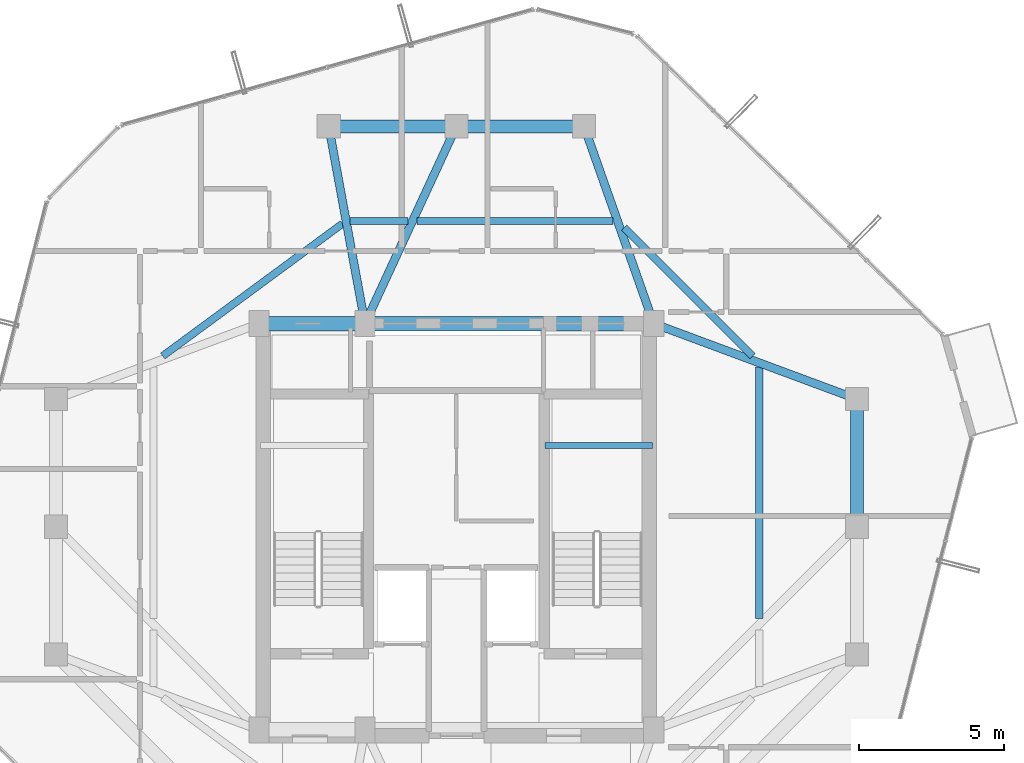
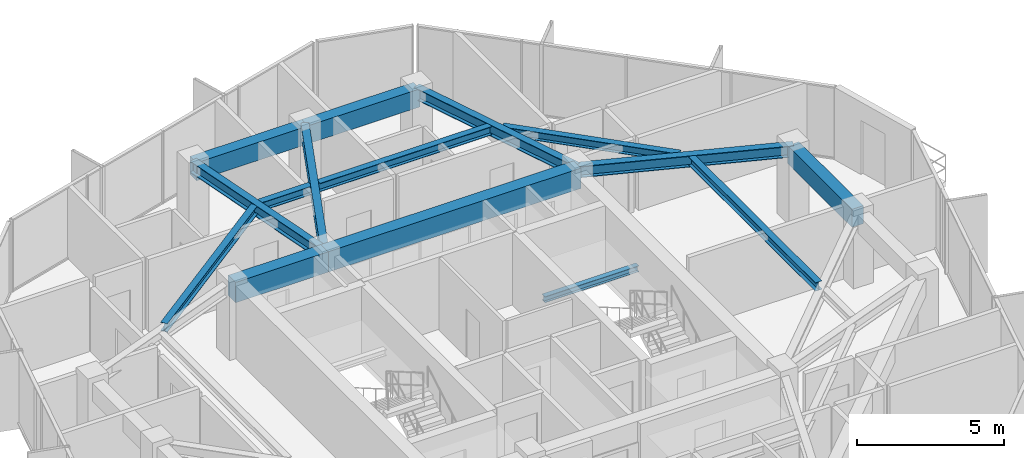
# One storey, part 15 of 29: 15 beams.
"""IFC4 building model written with IfcOpenShell, lengths in metres."""

import ifcopenshell
import ifcopenshell.guid

model = None  # the IFC model being written
_history = None  # IfcOwnerHistory: only IFC2X3 demands one
_inside = {}  # id of a spatial element -> (the spatial element, [elements in it])
_under = {}  # id of a project, library or spatial element -> (it, [spatial elements below it])
_declared = {}  # id of a project -> (the project, [libraries it declares])
_typed = {}  # id of a type object -> (the type object, [elements of that type])
_made_of = {}  # id of a material, layer set ... -> (it, [elements and type objects made of it])


def new_model(schema):
    """Start an empty IFC model of exactly this schema.

    Asked for "IFC4X3", IfcOpenShell would pick the latest addendum, in which some entities
    have other attributes; the version numbers below select the first issue.
    IFC2X3 requires an IfcOwnerHistory on every rooted entity: one is made here for all.
    """
    global model, _history
    if schema == "IFC4X3":
        model = ifcopenshell.file(schema_version=(4, 3, 0, 0))
    else:
        model = ifcopenshell.file(schema=schema)
    _inside.clear()
    _under.clear()
    _declared.clear()
    _typed.clear()
    _made_of.clear()
    _history = None
    if model.schema == "IFC2X3":
        org = make("IfcOrganization", Name="unknown")
        user = make(
            "IfcPersonAndOrganization",
            ThePerson=make("IfcPerson", FamilyName="unknown"),
            TheOrganization=org,
        )
        app = make(
            "IfcApplication",
            ApplicationDeveloper=org,
            Version="unknown",
            ApplicationFullName="unknown",
            ApplicationIdentifier="unknown",
        )
        _history = make(
            "IfcOwnerHistory",
            OwningUser=user,
            OwningApplication=app,
            ChangeAction="ADDED",
            CreationDate=0,
        )
    return model


def make(cls, **values):
    """One entity of the class cls with the attributes given. An attribute that is None is left unset."""
    return model.create_entity(
        cls, **{name: value for name, value in values.items() if value is not None}
    )


def rooted(cls, **values):
    """An entity with a GlobalId (a new one), such as an element, a storey or a relation."""
    return make(cls, GlobalId=ifcopenshell.guid.new(), OwnerHistory=_history, **values)


def si_unit(unit_type, name, prefix=None):
    """IfcSIUnit, for example si_unit("LENGTHUNIT", "METRE", prefix="MILLI")."""
    return make("IfcSIUnit", UnitType=unit_type, Prefix=prefix, Name=name)


def assignment(units):
    """IfcUnitAssignment: the units of a project."""
    return None if units is None else make("IfcUnitAssignment", Units=units)


def point(xyz):
    """IfcCartesianPoint."""
    return None if xyz is None else make("IfcCartesianPoint", Coordinates=xyz)


def direction(xyz):
    """IfcDirection."""
    return None if xyz is None else make("IfcDirection", DirectionRatios=xyz)


def frame(location, z_axis=None, x_axis=None):
    """IfcAxis2Placement3D, a coordinate frame: its origin and axes. An axis left out is left unset."""
    return make(
        "IfcAxis2Placement3D",
        Location=point(location),
        Axis=direction(z_axis),
        RefDirection=direction(x_axis),
    )


def frame_2d(location, x_axis=None):
    """IfcAxis2Placement2D, a coordinate frame in the plane: its origin and x axis."""
    return make(
        "IfcAxis2Placement2D", Location=point(location), RefDirection=direction(x_axis)
    )


def origin():
    """The frame at (0, 0, 0) with its axes left unset."""
    return frame((0.0, 0.0, 0.0))


def origin_2d():
    """The frame at (0, 0) in the plane with its x axis left unset."""
    return frame_2d((0.0, 0.0))


def place(relative_to, where):
    """IfcLocalPlacement: puts the frame where relative to a parent placement (None: the world)."""
    return make(
        "IfcLocalPlacement", PlacementRelTo=relative_to, RelativePlacement=where
    )


def context(
    kind, dimensions, precision=None, world=None, true_north=None, identifier=None
):
    """IfcGeometricRepresentationContext, for example the 3D "Model" context."""
    return make(
        "IfcGeometricRepresentationContext",
        ContextIdentifier=identifier,
        ContextType=kind,
        CoordinateSpaceDimension=dimensions,
        Precision=precision,
        WorldCoordinateSystem=world,
        TrueNorth=true_north,
    )


def subcontext(parent, identifier, kind, view, scale=None):
    """IfcGeometricRepresentationSubContext, for example "Body" below "Model"."""
    return make(
        "IfcGeometricRepresentationSubContext",
        ContextIdentifier=identifier,
        ContextType=kind,
        ParentContext=parent,
        TargetScale=scale,
        TargetView=view,
    )


def project(units=None, contexts=None):
    """IfcProject with its units and contexts."""
    return rooted(
        "IfcProject",
        Name="project",
        RepresentationContexts=contexts,
        UnitsInContext=assignment(units),
    )


def spatial(cls, under=None, at=None, **own):
    """A site, building, storey or space (cls), placed at a placement, below another one or the project."""
    s = rooted(cls, ObjectPlacement=at, **own)
    if under is not None:
        _under.setdefault(under.id(), (under, []))[1].append(s)
    return s


def profile(cls, at=None, kind="AREA", **sizes):
    """A parametric profile (cls). Its sizes go by their IFC names, for example OverallWidth=200.0."""
    return make(cls, ProfileType=kind, Position=at, **sizes)


def rectangle(**sizes):
    """IfcRectangleProfileDef."""
    return profile("IfcRectangleProfileDef", **sizes)


def i_section(**sizes):
    """IfcIShapeProfileDef."""
    return profile("IfcIShapeProfileDef", **sizes)


def extrude(swept, where, along, depth):
    """IfcExtrudedAreaSolid: the profile swept, set in the frame where, extruded along a direction by depth."""
    return make(
        "IfcExtrudedAreaSolid",
        SweptArea=swept,
        Position=where,
        ExtrudedDirection=direction(along),
        Depth=depth,
    )


def shape(context_of_items, identifier, shape_type, items):
    """IfcShapeRepresentation: the items that make up one representation, for example the "Body"."""
    return make(
        "IfcShapeRepresentation",
        ContextOfItems=context_of_items,
        RepresentationIdentifier=identifier,
        RepresentationType=shape_type,
        Items=items,
    )


def material(Name=None, Category=None):
    """IfcMaterial."""
    return make("IfcMaterial", Name=Name, Category=Category)


def material_profile(
    of_material, cross_section, Name=None, Category=None, Priority=None
):
    """IfcMaterialProfile: a cross section and its material."""
    return make(
        "IfcMaterialProfile",
        Name=Name,
        Material=of_material,
        Profile=cross_section,
        Priority=Priority,
        Category=Category,
    )


def profile_set(profiles, Name=None, composite=None):
    """IfcMaterialProfileSet."""
    return make(
        "IfcMaterialProfileSet",
        Name=Name,
        MaterialProfiles=profiles,
        CompositeProfile=composite,
    )


def made_of(thing, what):
    """Note that an element or type object is made of a material, layer set ...; save() writes the relation."""
    if what is not None:
        _made_of.setdefault(what.id(), (what, []))[1].append(thing)
    return thing


def type_object(cls, material=None, **own):
    """A type object (cls), such as IfcWallType, which elements share."""
    return made_of(rooted(cls, **own), material)


def element(
    cls,
    number,
    at=None,
    inside=None,
    cuts=None,
    type_object=None,
    material=None,
    context=None,
    identifier="Body",
    shape_type=None,
    held_by="IfcProductDefinitionShape",
    body=None,
    shapes=None,
    **own,
):
    """One element of the class cls, such as IfcWall. Its Tag is "e" and its number.

    at: its placement. inside: the storey or other place that contains it. cuts: it is an
    opening in that element (IfcRelVoidsElement). A single representation is given by context,
    identifier, shape_type and body (its items); several are given by shapes. held_by: the class
    of the entity that holds the representations. save() writes the other relations.
    """
    e = rooted(cls, Tag="e%d" % number, ObjectPlacement=at, **own)
    if body is not None:
        shapes = [shape(context, identifier, shape_type, body)]
    if shapes is not None:
        e.Representation = make(held_by, Representations=shapes)
    if inside is not None:
        _inside.setdefault(inside.id(), (inside, []))[1].append(e)
    if cuts is not None:
        rooted(
            "IfcRelVoidsElement", RelatingBuildingElement=cuts, RelatedOpeningElement=e
        )
    if type_object is not None:
        _typed.setdefault(type_object.id(), (type_object, []))[1].append(e)
    return made_of(e, material)


def aggregate(whole, parts):
    """IfcRelAggregates: a whole, such as a stair, and the parts it consists of."""
    return rooted("IfcRelAggregates", RelatingObject=whole, RelatedObjects=parts)


def save(model, path):
    """Write the relations noted so far, then the file.

    IfcRelAggregates (storeys below a building ...), IfcRelContainedInSpatialStructure (elements
    in a storey), IfcRelDefinesByType, IfcRelAssociatesMaterial and IfcRelDeclares: one each for
    every whole, place, type object, material and project.
    """
    for whole, parts in _under.values():
        aggregate(whole, parts)
    for where, things in _inside.values():
        rooted(
            "IfcRelContainedInSpatialStructure",
            RelatedElements=things,
            RelatingStructure=where,
        )
    for kind, things in _typed.values():
        rooted("IfcRelDefinesByType", RelatedObjects=things, RelatingType=kind)
    for what, things in _made_of.values():
        rooted("IfcRelAssociatesMaterial", RelatedObjects=things, RelatingMaterial=what)
    for by, libraries in _declared.values():
        rooted("IfcRelDeclares", RelatingContext=by, RelatedDefinitions=libraries)
    model.write(path)


model = new_model("IFC4")

# Units and contexts
model_context = context("Model", 3, precision=1e-05, world=origin(), true_north=direction((0.0, 1.0)))
body_context = subcontext(model_context, "Body", "Model", "MODEL_VIEW")
ifc_project = project(units=[si_unit("LENGTHUNIT", "METRE"), si_unit("AREAUNIT", "SQUARE_METRE"), si_unit("VOLUMEUNIT", "CUBIC_METRE"), si_unit("PLANEANGLEUNIT", "RADIAN"), si_unit("MASSUNIT", "GRAM", prefix="KILO")], contexts=[model_context])

# Site, building, storey
site_placement = place(None, origin())
site = spatial("IfcSite", under=ifc_project, at=site_placement, CompositionType="ELEMENT")
building_placement = place(site_placement, origin())
building = spatial("IfcBuilding", under=site, at=building_placement, Name="Veraguas Prism Commons", CompositionType="ELEMENT")
storey_placement = place(building_placement, frame((0.0, 0.0, 257.75)))
storey = spatial("IfcBuildingStorey", under=building, at=storey_placement, Name="L73", CompositionType="ELEMENT", Elevation=257.75)

# Beams
ifc_material_1 = material(Name="Concrete C50/60", Category="concrete")
ifc_material_profile_1 = material_profile(ifc_material_1, rectangle(XDim=0.5, YDim=0.85009765625, at=origin_2d()), Name="RC500X850")
ifc_profile_set_1 = profile_set([ifc_material_profile_1], Name="Concrete C50/60")
beam_type_1 = type_object("IfcBeamType", Name="Core Coupling Beam RC 500x850", PredefinedType="BEAM", material=ifc_profile_set_1)
beam_1_placement = place(storey_placement, frame((17.199951171875, 31.0, 2.590087890625), z_axis=(1.0, 0.0, 0.0), x_axis=(0.0, 1.0, 0.0)))
element("IfcBeam", 1, at=beam_1_placement, inside=storey, type_object=beam_type_1, Name="Core Coupling Beam L73-CRN1", PredefinedType="BEAM", context=body_context, shape_type="SweptSolid", body=[
    extrude(rectangle(XDim=0.5, YDim=0.85009765625, at=origin_2d()), origin(), (0.0, 0.0, 1.0), 3.650146484375),
])
beam_2_placement = place(storey_placement, frame((20.85009765625, 31.0, 2.590087890625), z_axis=(1.0, 0.0, 0.0), x_axis=(0.0, 1.0, 0.0)))
element("IfcBeam", 2, at=beam_2_placement, inside=storey, type_object=beam_type_1, Name="Core Coupling Beam L73-CRN2", PredefinedType="BEAM", context=body_context, shape_type="SweptSolid", body=[
    extrude(rectangle(XDim=0.5, YDim=0.85009765625, at=origin_2d()), origin(), (0.0, 0.0, 1.0), 9.949951171875),
])
ifc_material_profile_2 = material_profile(ifc_material_1, rectangle(XDim=0.449951171875, YDim=0.75, at=origin_2d()), Name="RC450X750")
ifc_profile_set_2 = profile_set([ifc_material_profile_2], Name="Concrete C50/60")
beam_type_2 = type_object("IfcBeamType", Name="Perimeter Spandrel Upper RC 450x750", PredefinedType="SPANDREL", material=ifc_profile_set_2)
for number, where, z_axis, x_axis, name in (
    (3, (37.800048828125, 24.0, 2.639892578125), (0.0, 1.0, 0.0), (-1.0, 0.0, 0.0), "Perimeter Spandrel Beam L73-SP02"),
    (4, (28.39990234375, 37.800048828125, 2.639892578125), (-1.0, 0.0, 0.0), (0.0, -1.0, 0.0), "Perimeter Spandrel Beam L73-SP04"),
    (5, (24.0, 37.800048828125, 2.639892578125), (-1.0, 0.0, 0.0), (0.0, -1.0, 0.0), "Perimeter Spandrel Beam L73-SP05"),
):
    element("IfcBeam", number, at=place(storey_placement, frame(where, z_axis=z_axis, x_axis=x_axis)), inside=storey, type_object=beam_type_2, Name=name, PredefinedType="SPANDREL", context=body_context, shape_type="SweptSolid", body=[
        extrude(rectangle(XDim=0.449951171875, YDim=0.75, at=origin_2d()), origin(), (0.0, 0.0, 1.0), 4.39990234375),
    ])
ifc_material_2 = material(Name="Steel ASTM A992 Grade 50", Category="steel")
ifc_material_profile_3 = material_profile(ifc_material_2, i_section(OverallWidth=0.202880859375, OverallDepth=0.251953125, WebThickness=0.008056640625, FlangeThickness=0.013427734375, at=origin_2d()), Name="W250X58")
ifc_profile_set_3 = profile_set([ifc_material_profile_3], Name="Steel ASTM A992 Grade 50")
beam_type_3 = type_object("IfcBeamType", Name="Structural Opening Lintel W250x58", PredefinedType="LINTEL", material=ifc_profile_set_3)
beam_3_placement = place(storey_placement, frame((27.050048828125, 26.800048828125, 1.299072265625), z_axis=(1.0, 0.0, 0.0), x_axis=(0.0, 1.0, 0.0)))
element("IfcBeam", 6, at=beam_3_placement, inside=storey, type_object=beam_type_3, Name="Stair ST-02 Half-Landing Support Beam L73-1", PredefinedType="LINTEL", context=body_context, shape_type="SweptSolid", body=[
    extrude(i_section(OverallWidth=0.202880859375, OverallDepth=0.251953125, WebThickness=0.008056640625, FlangeThickness=0.013427734375, at=origin_2d()), origin(), (0.0, 0.0, 1.0), 3.699951171875),
])
ifc_material_profile_4 = material_profile(ifc_material_2, i_section(OverallWidth=0.25390625, OverallDepth=0.35302734375, WebThickness=0.009521484375, FlangeThickness=0.016357421875, at=origin_2d()), Name="W360X91")
ifc_profile_set_4 = profile_set([ifc_material_profile_4], Name="Steel ASTM A992 Grade 50")
beam_type_4 = type_object("IfcBeamType", Name="Upper Floor Joist W360x91", PredefinedType="JOIST", material=ifc_profile_set_4)
beam_4_placement = place(storey_placement, frame((34.43994140625, 20.83740234375, 2.83837890625), z_axis=(0.0, 1.0, 0.0), x_axis=(-1.0, 0.0, 0.0)))
element("IfcBeam", 7, at=beam_4_placement, inside=storey, type_object=beam_type_4, Name="Composite Floor Joist L73-JS02", PredefinedType="JOIST", context=body_context, shape_type="SweptSolid", body=[
    extrude(i_section(OverallWidth=0.25390625, OverallDepth=0.35302734375, WebThickness=0.009521484375, FlangeThickness=0.016357421875, at=origin_2d()), origin(), (0.0, 0.0, 1.0), 8.661865234375),
])
beam_5_placement = place(storey_placement, frame((34.203369140625, 29.884765625, 2.83837890625), z_axis=(-0.707126297541, 0.707087264294, 0.0), x_axis=(-0.707087264294, -0.707126297541, 0.0)))
element("IfcBeam", 8, at=beam_5_placement, inside=storey, type_object=beam_type_4, Name="Composite Floor Joist L73-JS03", PredefinedType="JOIST", context=body_context, shape_type="SweptSolid", body=[
    extrude(i_section(OverallWidth=0.25390625, OverallDepth=0.35302734375, WebThickness=0.009521484375, FlangeThickness=0.016357421875, at=origin_2d()), origin(), (0.0, 0.0, 1.0), 6.254638671875),
])
beam_6_placement = place(storey_placement, frame((29.404052734375, 34.535888671875, 2.83837890625), z_axis=(-1.0, 0.0, 0.0), x_axis=(0.0, -1.0, 0.0)))
element("IfcBeam", 9, at=beam_6_placement, inside=storey, type_object=beam_type_4, Name="Composite Floor Joist L73-JS04", PredefinedType="JOIST", context=body_context, shape_type="SweptSolid", body=[
    extrude(i_section(OverallWidth=0.25390625, OverallDepth=0.35302734375, WebThickness=0.009521484375, FlangeThickness=0.016357421875, at=origin_2d()), origin(), (0.0, 0.0, 1.0), 6.762451171875),
])
beam_7_placement = place(storey_placement, frame((22.334228515625, 34.535888671875, 2.83837890625), z_axis=(-1.0, 0.0, 0.0), x_axis=(0.0, -1.0, 0.0)))
element("IfcBeam", 10, at=beam_7_placement, inside=storey, type_object=beam_type_4, Name="Composite Floor Joist L73-JS05", PredefinedType="JOIST", context=body_context, shape_type="SweptSolid", body=[
    extrude(i_section(OverallWidth=0.25390625, OverallDepth=0.35302734375, WebThickness=0.009521484375, FlangeThickness=0.016357421875, at=origin_2d()), origin(), (0.0, 0.0, 1.0), 1.992431640625),
])
beam_8_placement = place(storey_placement, frame((20.0751953125, 34.444091796875, 2.83837890625), z_axis=(-0.805319835229, -0.592840588174, 0.0), x_axis=(0.592840588174, -0.805319835229, 0.0)))
element("IfcBeam", 11, at=beam_8_placement, inside=storey, type_object=beam_type_4, Name="Composite Floor Joist L73-JS06", PredefinedType="JOIST", context=body_context, shape_type="SweptSolid", body=[
    extrude(i_section(OverallWidth=0.25390625, OverallDepth=0.35302734375, WebThickness=0.009521484375, FlangeThickness=0.016357421875, at=origin_2d()), origin(), (0.0, 0.0, 1.0), 7.69140625),
])
ifc_material_profile_5 = material_profile(ifc_material_2, i_section(OverallWidth=0.282958984375, OverallDepth=0.471923828125, WebThickness=0.013671875, FlangeThickness=0.022216796875, at=origin_2d()), Name="W460X144")
ifc_profile_set_5 = profile_set([ifc_material_profile_5], Name="Steel ASTM A992 Grade 50")
beam_type_5 = type_object("IfcBeamType", Name="Zone 4 Radial Girder W460x144", PredefinedType="BEAM", material=ifc_profile_set_5)
beam_9_placement = place(storey_placement, frame((37.800048828125, 28.39990234375, 2.779052734375), z_axis=(-0.937421003341, 0.348198021958, 0.0), x_axis=(-0.348198021958, -0.937421003341, 0.0)))
element("IfcBeam", 12, at=beam_9_placement, inside=storey, type_object=beam_type_5, Name="Radial Floor Girder L73-RD03", PredefinedType="BEAM", context=body_context, shape_type="SweptSolid", body=[
    extrude(i_section(OverallWidth=0.282958984375, OverallDepth=0.471923828125, WebThickness=0.013671875, FlangeThickness=0.022216796875, at=origin_2d()), origin(), (0.0, 0.0, 1.0), 7.46728515625),
])
beam_10_placement = place(storey_placement, frame((28.39990234375, 37.800048828125, 2.779052734375), z_axis=(0.332836055941, -0.942984708182, 0.0), x_axis=(0.942984708182, 0.332836055941, 0.0)))
element("IfcBeam", 13, at=beam_10_placement, inside=storey, type_object=beam_type_5, Name="Radial Floor Girder L73-RD04", PredefinedType="BEAM", context=body_context, shape_type="SweptSolid", body=[
    extrude(i_section(OverallWidth=0.282958984375, OverallDepth=0.471923828125, WebThickness=0.013671875, FlangeThickness=0.022216796875, at=origin_2d()), origin(), (0.0, 0.0, 1.0), 7.211181640625),
])
beam_11_placement = place(storey_placement, frame((24.0, 37.800048828125, 2.779052734375), z_axis=(-0.420313834543, -0.907378796585, 0.0), x_axis=(0.907378796585, -0.420313834543, 0.0)))
element("IfcBeam", 14, at=beam_11_placement, inside=storey, type_object=beam_type_5, Name="Radial Floor Girder L73-RD05", PredefinedType="BEAM", context=body_context, shape_type="SweptSolid", body=[
    extrude(i_section(OverallWidth=0.282958984375, OverallDepth=0.471923828125, WebThickness=0.013671875, FlangeThickness=0.022216796875, at=origin_2d()), origin(), (0.0, 0.0, 1.0), 7.494140625),
])
beam_12_placement = place(storey_placement, frame((19.60009765625, 37.800048828125, 2.779052734375), z_axis=(0.180793033327, -0.983521163524, 0.0), x_axis=(0.983521163524, 0.180793033327, 0.0)))
element("IfcBeam", 15, at=beam_12_placement, inside=storey, type_object=beam_type_5, Name="Radial Floor Girder L73-RD06", PredefinedType="BEAM", context=body_context, shape_type="SweptSolid", body=[
    extrude(i_section(OverallWidth=0.282958984375, OverallDepth=0.471923828125, WebThickness=0.013671875, FlangeThickness=0.022216796875, at=origin_2d()), origin(), (0.0, 0.0, 1.0), 6.9140625),
])

save(model, "model.ifc")
